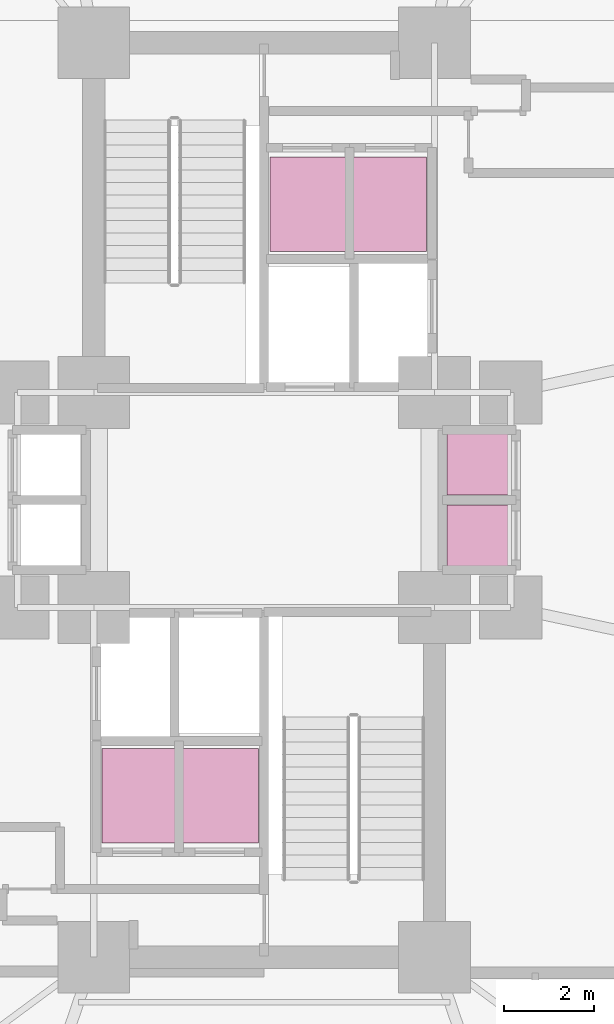
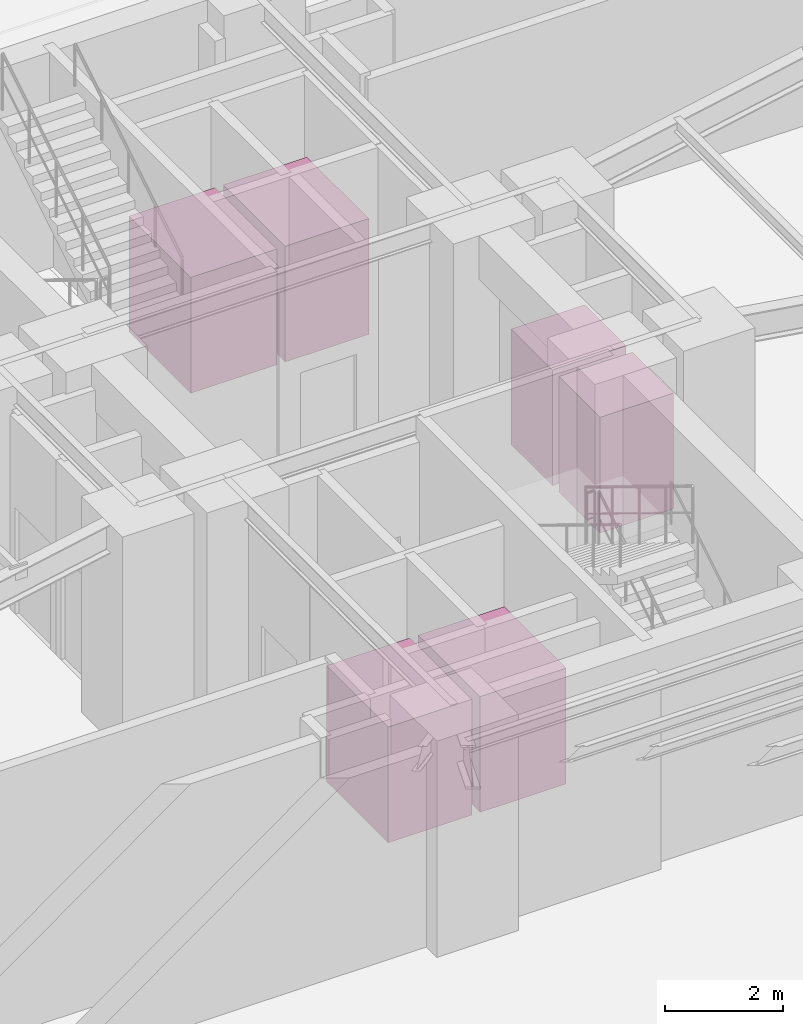
# One storey, part 31 of 31: 6 transport elements.
"""IFC4 building model written with IfcOpenShell, lengths in metres."""

from ifc_helpers import new_model, si_unit, direction, frame, origin, origin_2d, place, context, subcontext, project, spatial, rectangle, extrude, source, transform, mapped, material, type_object, element, save


model = new_model("IFC4")

# Units and contexts
model_context = context("Model", 3, precision=1e-05, world=origin(), true_north=direction((0.0, 1.0)))
body_context = subcontext(model_context, "Body", "Model", "MODEL_VIEW")
ifc_project = project(units=[si_unit("LENGTHUNIT", "METRE"), si_unit("AREAUNIT", "SQUARE_METRE"), si_unit("VOLUMEUNIT", "CUBIC_METRE"), si_unit("PLANEANGLEUNIT", "RADIAN"), si_unit("MASSUNIT", "GRAM", prefix="KILO")], contexts=[model_context])

# Site, building, storey
site_placement = place(None, origin())
site = spatial("IfcSite", under=ifc_project, at=site_placement, CompositionType="ELEMENT")
building_placement = place(site_placement, origin())
building = spatial("IfcBuilding", under=site, at=building_placement, Name="Sahyath Konkavel Grand Hotel", CompositionType="ELEMENT")
storey_placement = place(building_placement, origin())
storey = spatial("IfcBuildingStorey", under=building, at=storey_placement, Name="L00", CompositionType="ELEMENT", Elevation=0.0)

# Transport elements
ifc_material = material(Name="Steel E350 and Stainless Car", Category="steel")
transport_element_type = type_object("IfcTransportElementType", Name="LFT-PAS-1800x2100", PredefinedType="ELEVATOR", material=ifc_material)
shared_shape_1 = source(origin(), body_context, "Body", "SweptSolid", [
    extrude(rectangle(XDim=1.68994140625, YDim=2.10009765625, at=origin_2d()), origin(), (0.0, 0.0, 1.0), 2.39990234375),
])
for number, where, z_axis, x_axis, name in (
    (1, (0.97509765625, 6.60009765625, 0.0), (0.0, 0.0, 1.0), (1.0, 0.0, 0.0), "Bank-1 Passenger Lift PL-1"),
    (2, (-0.97509765625, -6.60009765625, 0.0), (0.0, 0.0, 1.0), (1.0, 0.0, 0.0), "Bank-2 Passenger Lift PL-4"),
):
    element("IfcTransportElement", number, at=place(storey_placement, frame(where, z_axis=z_axis, x_axis=x_axis)), inside=storey, type_object=transport_element_type, Name=name, PredefinedType="ELEVATOR", context=body_context, shape_type="MappedRepresentation", body=[
        mapped(shared_shape_1, transform((0.0, 0.0, 0.0), scale=1.0)),
    ])
shared_shape_2 = source(origin(), body_context, "Body", "SweptSolid", [
    extrude(rectangle(XDim=1.639892578125, YDim=2.10009765625, at=origin_2d()), origin(), (0.0, 0.0, 1.0), 2.39990234375),
])
for number, where, z_axis, x_axis, name in (
    (3, (2.800048828125, 6.60009765625, 0.0), (0.0, 0.0, 1.0), (1.0, 0.0, 0.0), "Bank-1 Passenger Lift PL-2"),
    (4, (-2.800048828125, -6.60009765625, 0.0), (0.0, 0.0, 1.0), (1.0, 0.0, 0.0), "Bank-2 Passenger Lift PL-3"),
):
    element("IfcTransportElement", number, at=place(storey_placement, frame(where, z_axis=z_axis, x_axis=x_axis)), inside=storey, type_object=transport_element_type, Name=name, PredefinedType="ELEVATOR", context=body_context, shape_type="MappedRepresentation", body=[
        mapped(shared_shape_2, transform((0.0, 0.0, 0.0), scale=1.0)),
    ])
shared_shape_3 = source(origin(), body_context, "Body", "SweptSolid", [
    extrude(rectangle(XDim=1.43994140625, YDim=1.39990234375, at=origin_2d()), origin(), (0.0, 0.0, 1.0), 2.39990234375),
])
for number, where, z_axis, x_axis, name in (
    (5, (4.800048828125, 0.81005859375, 0.0), (0.0, 0.0, 1.0), (1.0, 0.0, 0.0), "Bank-3 Passenger Lift PL-5"),
    (6, (4.800048828125, -0.81005859375, 0.0), (0.0, 0.0, 1.0), (1.0, 0.0, 0.0), "Bank-3 Passenger Lift PL-6"),
):
    element("IfcTransportElement", number, at=place(storey_placement, frame(where, z_axis=z_axis, x_axis=x_axis)), inside=storey, type_object=transport_element_type, Name=name, PredefinedType="ELEVATOR", context=body_context, shape_type="MappedRepresentation", body=[
        mapped(shared_shape_3, transform((0.0, 0.0, 0.0), scale=1.0)),
    ])

save(model, "model.ifc")
